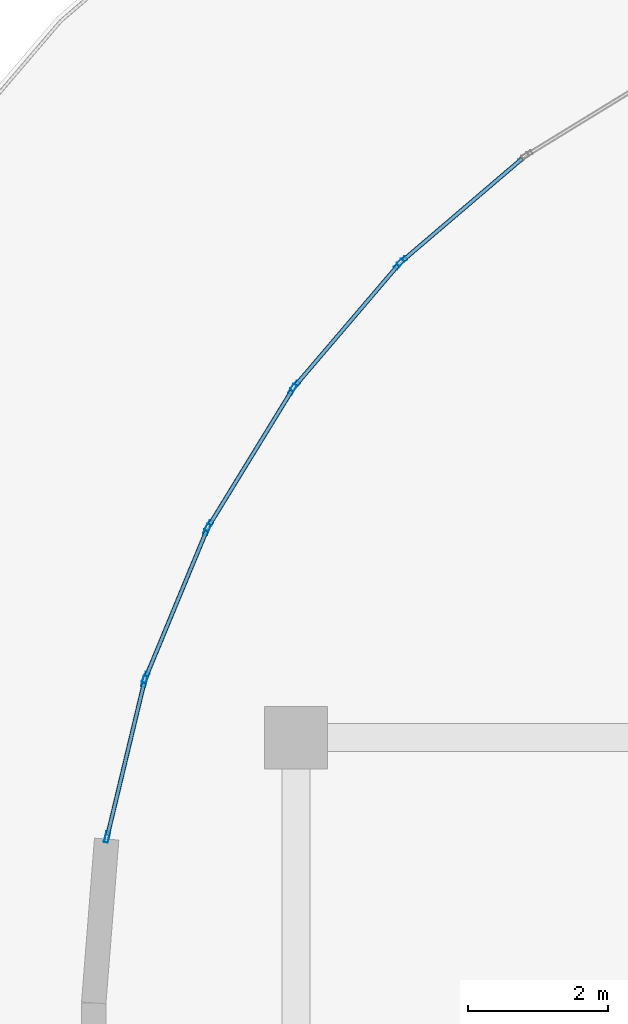
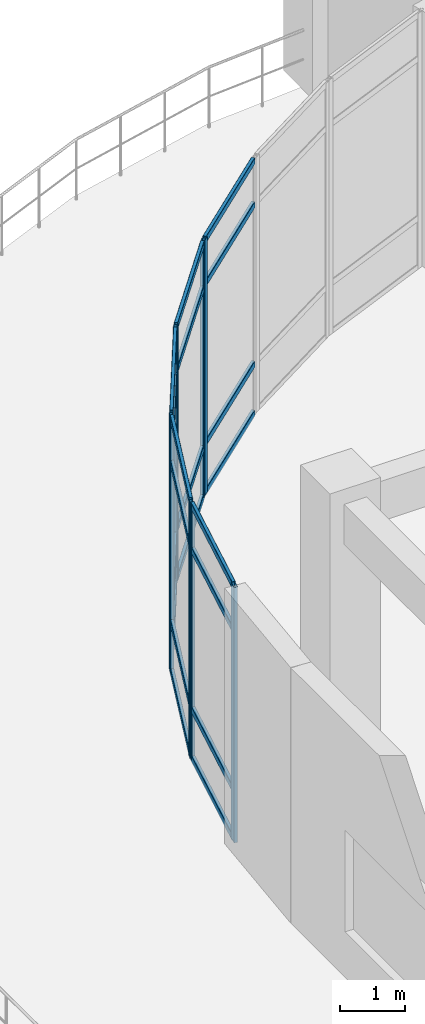
# One storey, part 51 of 120: 29 members, 5 elements without a shape of their own.
"""IFC4 building model written with IfcOpenShell, lengths in metres."""

from ifc_helpers import new_model, si_unit, derived_unit, direction, frame, origin, origin_2d, place, context, subcontext, project, spatial, hollow_rectangle, extrude, material, layer, layer_set, material_profile, profile_set, type_object, element, aggregate, save


model = new_model("IFC4")

# Units and contexts
model_context = context("Model", 3, precision=1e-05, world=origin(), true_north=direction((0.0, 1.0)))
body_context = subcontext(model_context, "Body", "Model", "MODEL_VIEW")
ifc_project = project(units=[si_unit("LENGTHUNIT", "METRE"), si_unit("AREAUNIT", "SQUARE_METRE"), si_unit("VOLUMEUNIT", "CUBIC_METRE"), si_unit("PLANEANGLEUNIT", "RADIAN"), si_unit("MASSUNIT", "GRAM", prefix="KILO"), derived_unit("THERMALTRANSMITTANCEUNIT", [(si_unit("MASSUNIT", "GRAM", prefix="KILO"), 1), (si_unit("TIMEUNIT", "SECOND"), -3), (si_unit("THERMODYNAMICTEMPERATUREUNIT", "KELVIN"), -1)])], contexts=[model_context])

# Site, building, storey
site_placement = place(None, origin())
site = spatial("IfcSite", under=ifc_project, at=site_placement, CompositionType="ELEMENT")
building_placement = place(site_placement, origin())
building = spatial("IfcBuilding", under=site, at=building_placement, Name="Qinzheling Arcade Emporium", CompositionType="ELEMENT")
storey_placement = place(building_placement, frame((0.0, 0.0, 11.39990234375)))
storey = spatial("IfcBuildingStorey", under=building, at=storey_placement, Name="L03", CompositionType="ELEMENT", Elevation=11.39990234375)

# Curtain wall, members
ifc_material_1 = material(Name="Anodised aluminium and solar-control double glazing", Category="aluminium")
ifc_layer = layer(ifc_material_1, 0.159912109375, Name="Anodised aluminium and solar-control double glazing", Category="aluminium")
ifc_layer_set = layer_set([ifc_layer], Name="Anodised aluminium and solar-control double glazing")
curtain_wall_type = type_object("IfcCurtainWallType", Name="Curved Ribbon Sales Curtain Wall", PredefinedType="NOTDEFINED", material=ifc_layer_set)
curtain_wall_1_placement = place(storey_placement, origin())
curtain_wall_1 = element("IfcCurtainWall", 1, at=curtain_wall_1_placement, inside=storey, type_object=curtain_wall_type, Name="Curtain Wall CW-L03-175", PredefinedType="NOTDEFINED")
ifc_material_2 = material(Name="Anodised aluminium 6063-T6", Category="aluminium")
ifc_material_profile_1 = material_profile(ifc_material_2, hollow_rectangle(XDim=0.06005859375, YDim=0.159912109375, WallThickness=0.00390625, InnerFilletRadius=0.00390625, OuterFilletRadius=0.008056640625, at=origin_2d()), Name="RHS 160x60x4", Category="aluminium")
ifc_profile_set_1 = profile_set([ifc_material_profile_1], Name="Anodised aluminium 6063-T6")
member_type_1 = type_object("IfcMemberType", Name="Curtain Wall Mullion RHS160x60", PredefinedType="MULLION", material=ifc_profile_set_1)
member_1_placement = place(storey_placement, frame((58.19189453125, 97.576171875, 0.0), z_axis=(0.0, 0.0, 1.0), x_axis=(-0.972398874145, 0.233324729854, 0.0)))
member_1 = element("IfcMember", 2, at=member_1_placement, type_object=member_type_1, Name="CW02 mullion 1", PredefinedType="MULLION", context=body_context, shape_type="SweptSolid", body=[
    extrude(hollow_rectangle(XDim=0.06005859375, YDim=0.159912109375, WallThickness=0.00390625, InnerFilletRadius=0.00390625, OuterFilletRadius=0.008056640625, at=origin_2d()), origin(), (0.0, 0.0, 1.0), 4.7900390625),
])
member_2_placement = place(storey_placement, frame((58.72705078125, 99.805908203125, 0.0), z_axis=(0.0, 0.0, 1.0), x_axis=(-0.972398874145, 0.233324729854, 0.0)))
member_2 = element("IfcMember", 3, at=member_2_placement, type_object=member_type_1, Name="CW02 mullion 2", PredefinedType="MULLION", context=body_context, shape_type="SweptSolid", body=[
    extrude(hollow_rectangle(XDim=0.06005859375, YDim=0.159912109375, WallThickness=0.00390625, InnerFilletRadius=0.00390625, OuterFilletRadius=0.008056640625, at=origin_2d()), origin(), (0.0, 0.0, 1.0), 4.7900390625),
])

curtain_wall_2_placement = place(storey_placement, origin())
curtain_wall_2 = element("IfcCurtainWall", 4, at=curtain_wall_2_placement, inside=storey, type_object=curtain_wall_type, Name="Curtain Wall CW-L03-176", PredefinedType="NOTDEFINED")
member_3_placement = place(storey_placement, frame((58.745361328125, 99.86279296875, 0.0), z_axis=(0.0, 0.0, 1.0), x_axis=(-0.923866691535, 0.382714431752, 0.0)))
member_3 = element("IfcMember", 5, at=member_3_placement, type_object=member_type_1, Name="CW02 mullion 1", PredefinedType="MULLION", context=body_context, shape_type="SweptSolid", body=[
    extrude(hollow_rectangle(XDim=0.06005859375, YDim=0.159912109375, WallThickness=0.00390625, InnerFilletRadius=0.00390625, OuterFilletRadius=0.008056640625, at=origin_2d()), origin(), (0.0, 0.0, 1.0), 4.7900390625),
])
member_4_placement = place(storey_placement, frame((59.62353515625, 101.982177734375, 0.0), z_axis=(0.0, 0.0, 1.0), x_axis=(-0.923866691535, 0.382714431752, 0.0)))
member_4 = element("IfcMember", 6, at=member_4_placement, type_object=member_type_1, Name="CW02 mullion 2", PredefinedType="MULLION", context=body_context, shape_type="SweptSolid", body=[
    extrude(hollow_rectangle(XDim=0.06005859375, YDim=0.159912109375, WallThickness=0.00390625, InnerFilletRadius=0.00390625, OuterFilletRadius=0.008056640625, at=origin_2d()), origin(), (0.0, 0.0, 1.0), 4.7900390625),
])

curtain_wall_3_placement = place(storey_placement, origin())
curtain_wall_3 = element("IfcCurtainWall", 7, at=curtain_wall_3_placement, inside=storey, type_object=curtain_wall_type, Name="Curtain Wall CW-L03-177", PredefinedType="NOTDEFINED")
member_5_placement = place(storey_placement, frame((59.650634765625, 102.03564453125, 0.0), z_axis=(0.0, 0.0, 1.0), x_axis=(-0.852619568756, 0.522532172191, 0.0)))
member_5 = element("IfcMember", 8, at=member_5_placement, type_object=member_type_1, Name="CW02 mullion 1", PredefinedType="MULLION", context=body_context, shape_type="SweptSolid", body=[
    extrude(hollow_rectangle(XDim=0.06005859375, YDim=0.159912109375, WallThickness=0.00390625, InnerFilletRadius=0.00390625, OuterFilletRadius=0.008056640625, at=origin_2d()), origin(), (0.0, 0.0, 1.0), 4.7900390625),
])
member_6_placement = place(storey_placement, frame((60.849365234375, 103.991455078125, 0.0), z_axis=(0.0, 0.0, 1.0), x_axis=(-0.852619568756, 0.522532172191, 0.0)))
member_6 = element("IfcMember", 9, at=member_6_placement, type_object=member_type_1, Name="CW02 mullion 2", PredefinedType="MULLION", context=body_context, shape_type="SweptSolid", body=[
    extrude(hollow_rectangle(XDim=0.06005859375, YDim=0.159912109375, WallThickness=0.00390625, InnerFilletRadius=0.00390625, OuterFilletRadius=0.008056640625, at=origin_2d()), origin(), (0.0, 0.0, 1.0), 4.7900390625),
])

curtain_wall_4_placement = place(storey_placement, origin())
curtain_wall_4 = element("IfcCurtainWall", 10, at=curtain_wall_4_placement, inside=storey, type_object=curtain_wall_type, Name="Curtain Wall CW-L03-178", PredefinedType="NOTDEFINED")
member_7_placement = place(storey_placement, frame((60.884521484375, 104.039794921875, 0.0), z_axis=(0.0, 0.0, 1.0), x_axis=(-0.760574737185, 0.649250390185, 0.0)))
member_7 = element("IfcMember", 11, at=member_7_placement, type_object=member_type_1, Name="CW02 mullion 1", PredefinedType="MULLION", context=body_context, shape_type="SweptSolid", body=[
    extrude(hollow_rectangle(XDim=0.06005859375, YDim=0.159912109375, WallThickness=0.00390625, InnerFilletRadius=0.00390625, OuterFilletRadius=0.008056640625, at=origin_2d()), origin(), (0.0, 0.0, 1.0), 4.7900390625),
])
member_8_placement = place(storey_placement, frame((62.37353515625, 105.7841796875, 0.0), z_axis=(0.0, 0.0, 1.0), x_axis=(-0.760574737185, 0.649250390185, 0.0)))
member_8 = element("IfcMember", 12, at=member_8_placement, type_object=member_type_1, Name="CW02 mullion 2", PredefinedType="MULLION", context=body_context, shape_type="SweptSolid", body=[
    extrude(hollow_rectangle(XDim=0.06005859375, YDim=0.159912109375, WallThickness=0.00390625, InnerFilletRadius=0.00390625, OuterFilletRadius=0.008056640625, at=origin_2d()), origin(), (0.0, 0.0, 1.0), 4.7900390625),
])

# Curtain wall, member
curtain_wall_5_placement = place(storey_placement, origin())
curtain_wall_5 = element("IfcCurtainWall", 13, at=curtain_wall_5_placement, inside=storey, type_object=curtain_wall_type, Name="Curtain Wall CW-L03-179", PredefinedType="NOTDEFINED")
member_9_placement = place(storey_placement, frame((62.415771484375, 105.826416015625, 0.0), z_axis=(0.0, 0.0, 1.0), x_axis=(-0.649250390185, 0.760574737185, 0.0)))
member_9 = element("IfcMember", 14, at=member_9_placement, type_object=member_type_1, Name="CW02 mullion 1", PredefinedType="MULLION", context=body_context, shape_type="SweptSolid", body=[
    extrude(hollow_rectangle(XDim=0.06005859375, YDim=0.159912109375, WallThickness=0.00390625, InnerFilletRadius=0.00390625, OuterFilletRadius=0.008056640625, at=origin_2d()), origin(), (0.0, 0.0, 1.0), 4.7900390625),
])

# Member
ifc_material_profile_2 = material_profile(ifc_material_2, hollow_rectangle(XDim=0.06005859375, YDim=0.1201171875, WallThickness=0.00390625, InnerFilletRadius=0.00390625, OuterFilletRadius=0.008056640625, at=origin_2d()), Name="RHS 120x60x4", Category="aluminium")
ifc_profile_set_2 = profile_set([ifc_material_profile_2], Name="Anodised aluminium 6063-T6")
member_type_2 = type_object("IfcMemberType", Name="Curtain Wall Transom RHS120x60", PredefinedType="USERDEFINED", material=ifc_profile_set_2)
member_10_placement = place(storey_placement, frame((58.198974609375, 97.605224609375, 0.030029296875), z_axis=(0.233315060543, 0.972401194222, 0.0), x_axis=(-0.972401194222, 0.233315060543, 0.0)))
member_10 = element("IfcMember", 15, at=member_10_placement, type_object=member_type_2, Name="CW02 transom 1.1", ObjectType="TRANSOM", PredefinedType="USERDEFINED", context=body_context, shape_type="SweptSolid", body=[
    extrude(hollow_rectangle(XDim=0.06005859375, YDim=0.1201171875, WallThickness=0.00390625, InnerFilletRadius=0.00390625, OuterFilletRadius=0.008056640625, at=origin_2d()), origin(), (0.0, 0.0, 1.0), 2.23291015625),
])

member_11_placement = place(storey_placement, frame((58.198974609375, 97.605224609375, 0.9501953125), z_axis=(0.233315060543, 0.972401194222, 0.0), x_axis=(-0.972401194222, 0.233315060543, 0.0)))
member_11 = element("IfcMember", 16, at=member_11_placement, type_object=member_type_2, Name="CW02 transom 1.2", ObjectType="TRANSOM", PredefinedType="USERDEFINED", context=body_context, shape_type="SweptSolid", body=[
    extrude(hollow_rectangle(XDim=0.06005859375, YDim=0.1201171875, WallThickness=0.00390625, InnerFilletRadius=0.00390625, OuterFilletRadius=0.008056640625, at=origin_2d()), origin(), (0.0, 0.0, 1.0), 2.23291015625),
])

member_12_placement = place(storey_placement, frame((58.198974609375, 97.605224609375, 3.940185546875), z_axis=(0.233315060543, 0.972401194222, 0.0), x_axis=(-0.972401194222, 0.233315060543, 0.0)))
member_12 = element("IfcMember", 17, at=member_12_placement, type_object=member_type_2, Name="CW02 transom 1.3", ObjectType="TRANSOM", PredefinedType="USERDEFINED", context=body_context, shape_type="SweptSolid", body=[
    extrude(hollow_rectangle(XDim=0.06005859375, YDim=0.1201171875, WallThickness=0.00390625, InnerFilletRadius=0.00390625, OuterFilletRadius=0.008056640625, at=origin_2d()), origin(), (0.0, 0.0, 1.0), 2.23291015625),
])

member_13_placement = place(storey_placement, frame((58.198974609375, 97.605224609375, 4.760009765625), z_axis=(0.233315060543, 0.972401194222, 0.0), x_axis=(-0.972401194222, 0.233315060543, 0.0)))
member_13 = element("IfcMember", 18, at=member_13_placement, type_object=member_type_2, Name="CW02 transom 1.4", ObjectType="TRANSOM", PredefinedType="USERDEFINED", context=body_context, shape_type="SweptSolid", body=[
    extrude(hollow_rectangle(XDim=0.06005859375, YDim=0.1201171875, WallThickness=0.00390625, InnerFilletRadius=0.00390625, OuterFilletRadius=0.008056640625, at=origin_2d()), origin(), (0.0, 0.0, 1.0), 2.23291015625),
])

aggregate(curtain_wall_1, [member_1, member_2, member_10, member_11, member_12, member_13])

member_14_placement = place(storey_placement, frame((58.757080078125, 99.890380859375, 0.030029296875), z_axis=(0.382667047817, 0.923886319043, 0.0), x_axis=(-0.923886319043, 0.382667047817, 0.0)))
member_14 = element("IfcMember", 19, at=member_14_placement, type_object=member_type_2, Name="CW02 transom 1.1", ObjectType="TRANSOM", PredefinedType="USERDEFINED", context=body_context, shape_type="SweptSolid", body=[
    extrude(hollow_rectangle(XDim=0.06005859375, YDim=0.1201171875, WallThickness=0.00390625, InnerFilletRadius=0.00390625, OuterFilletRadius=0.008056640625, at=origin_2d()), origin(), (0.0, 0.0, 1.0), 2.234375),
])

member_15_placement = place(storey_placement, frame((58.757080078125, 99.890380859375, 0.9501953125), z_axis=(0.382667047817, 0.923886319043, 0.0), x_axis=(-0.923886319043, 0.382667047817, 0.0)))
member_15 = element("IfcMember", 20, at=member_15_placement, type_object=member_type_2, Name="CW02 transom 1.2", ObjectType="TRANSOM", PredefinedType="USERDEFINED", context=body_context, shape_type="SweptSolid", body=[
    extrude(hollow_rectangle(XDim=0.06005859375, YDim=0.1201171875, WallThickness=0.00390625, InnerFilletRadius=0.00390625, OuterFilletRadius=0.008056640625, at=origin_2d()), origin(), (0.0, 0.0, 1.0), 2.234375),
])

member_16_placement = place(storey_placement, frame((58.757080078125, 99.890380859375, 3.940185546875), z_axis=(0.382667047817, 0.923886319043, 0.0), x_axis=(-0.923886319043, 0.382667047817, 0.0)))
member_16 = element("IfcMember", 21, at=member_16_placement, type_object=member_type_2, Name="CW02 transom 1.3", ObjectType="TRANSOM", PredefinedType="USERDEFINED", context=body_context, shape_type="SweptSolid", body=[
    extrude(hollow_rectangle(XDim=0.06005859375, YDim=0.1201171875, WallThickness=0.00390625, InnerFilletRadius=0.00390625, OuterFilletRadius=0.008056640625, at=origin_2d()), origin(), (0.0, 0.0, 1.0), 2.234375),
])

member_17_placement = place(storey_placement, frame((58.757080078125, 99.890380859375, 4.760009765625), z_axis=(0.382667047817, 0.923886319043, 0.0), x_axis=(-0.923886319043, 0.382667047817, 0.0)))
member_17 = element("IfcMember", 22, at=member_17_placement, type_object=member_type_2, Name="CW02 transom 1.4", ObjectType="TRANSOM", PredefinedType="USERDEFINED", context=body_context, shape_type="SweptSolid", body=[
    extrude(hollow_rectangle(XDim=0.06005859375, YDim=0.1201171875, WallThickness=0.00390625, InnerFilletRadius=0.00390625, OuterFilletRadius=0.008056640625, at=origin_2d()), origin(), (0.0, 0.0, 1.0), 2.234375),
])

aggregate(curtain_wall_2, [member_3, member_4, member_14, member_15, member_16, member_17])

member_18_placement = place(storey_placement, frame((59.666259765625, 102.06103515625, 0.030029296875), z_axis=(0.522572307967, 0.852594970045, 0.0), x_axis=(-0.852594970045, 0.522572307967, 0.0)))
member_18 = element("IfcMember", 23, at=member_18_placement, type_object=member_type_2, Name="CW02 transom 1.1", ObjectType="TRANSOM", PredefinedType="USERDEFINED", context=body_context, shape_type="SweptSolid", body=[
    extrude(hollow_rectangle(XDim=0.06005859375, YDim=0.1201171875, WallThickness=0.00390625, InnerFilletRadius=0.00390625, OuterFilletRadius=0.008056640625, at=origin_2d()), origin(), (0.0, 0.0, 1.0), 2.234130859375),
])

member_19_placement = place(storey_placement, frame((59.666259765625, 102.06103515625, 0.9501953125), z_axis=(0.522572307967, 0.852594970045, 0.0), x_axis=(-0.852594970045, 0.522572307967, 0.0)))
member_19 = element("IfcMember", 24, at=member_19_placement, type_object=member_type_2, Name="CW02 transom 1.2", ObjectType="TRANSOM", PredefinedType="USERDEFINED", context=body_context, shape_type="SweptSolid", body=[
    extrude(hollow_rectangle(XDim=0.06005859375, YDim=0.1201171875, WallThickness=0.00390625, InnerFilletRadius=0.00390625, OuterFilletRadius=0.008056640625, at=origin_2d()), origin(), (0.0, 0.0, 1.0), 2.234130859375),
])

member_20_placement = place(storey_placement, frame((59.666259765625, 102.06103515625, 3.940185546875), z_axis=(0.522572307967, 0.852594970045, 0.0), x_axis=(-0.852594970045, 0.522572307967, 0.0)))
member_20 = element("IfcMember", 25, at=member_20_placement, type_object=member_type_2, Name="CW02 transom 1.3", ObjectType="TRANSOM", PredefinedType="USERDEFINED", context=body_context, shape_type="SweptSolid", body=[
    extrude(hollow_rectangle(XDim=0.06005859375, YDim=0.1201171875, WallThickness=0.00390625, InnerFilletRadius=0.00390625, OuterFilletRadius=0.008056640625, at=origin_2d()), origin(), (0.0, 0.0, 1.0), 2.234130859375),
])

member_21_placement = place(storey_placement, frame((59.666259765625, 102.06103515625, 4.760009765625), z_axis=(0.522572307967, 0.852594970045, 0.0), x_axis=(-0.852594970045, 0.522572307967, 0.0)))
member_21 = element("IfcMember", 26, at=member_21_placement, type_object=member_type_2, Name="CW02 transom 1.4", ObjectType="TRANSOM", PredefinedType="USERDEFINED", context=body_context, shape_type="SweptSolid", body=[
    extrude(hollow_rectangle(XDim=0.06005859375, YDim=0.1201171875, WallThickness=0.00390625, InnerFilletRadius=0.00390625, OuterFilletRadius=0.008056640625, at=origin_2d()), origin(), (0.0, 0.0, 1.0), 2.234130859375),
])

aggregate(curtain_wall_3, [member_5, member_6, member_18, member_19, member_20, member_21])

member_22_placement = place(storey_placement, frame((60.904052734375, 104.062744140625, 0.030029296875), z_axis=(0.649214567971, 0.76060531469, 0.0), x_axis=(-0.76060531469, 0.649214567971, 0.0)))
member_22 = element("IfcMember", 27, at=member_22_placement, type_object=member_type_2, Name="CW02 transom 1.1", ObjectType="TRANSOM", PredefinedType="USERDEFINED", context=body_context, shape_type="SweptSolid", body=[
    extrude(hollow_rectangle(XDim=0.06005859375, YDim=0.1201171875, WallThickness=0.00390625, InnerFilletRadius=0.00390625, OuterFilletRadius=0.008056640625, at=origin_2d()), origin(), (0.0, 0.0, 1.0), 2.2333984375),
])

member_23_placement = place(storey_placement, frame((60.904052734375, 104.062744140625, 0.9501953125), z_axis=(0.649214567971, 0.76060531469, 0.0), x_axis=(-0.76060531469, 0.649214567971, 0.0)))
member_23 = element("IfcMember", 28, at=member_23_placement, type_object=member_type_2, Name="CW02 transom 1.2", ObjectType="TRANSOM", PredefinedType="USERDEFINED", context=body_context, shape_type="SweptSolid", body=[
    extrude(hollow_rectangle(XDim=0.06005859375, YDim=0.1201171875, WallThickness=0.00390625, InnerFilletRadius=0.00390625, OuterFilletRadius=0.008056640625, at=origin_2d()), origin(), (0.0, 0.0, 1.0), 2.2333984375),
])

member_24_placement = place(storey_placement, frame((60.904052734375, 104.062744140625, 3.940185546875), z_axis=(0.649214567971, 0.76060531469, 0.0), x_axis=(-0.76060531469, 0.649214567971, 0.0)))
member_24 = element("IfcMember", 29, at=member_24_placement, type_object=member_type_2, Name="CW02 transom 1.3", ObjectType="TRANSOM", PredefinedType="USERDEFINED", context=body_context, shape_type="SweptSolid", body=[
    extrude(hollow_rectangle(XDim=0.06005859375, YDim=0.1201171875, WallThickness=0.00390625, InnerFilletRadius=0.00390625, OuterFilletRadius=0.008056640625, at=origin_2d()), origin(), (0.0, 0.0, 1.0), 2.2333984375),
])

member_25_placement = place(storey_placement, frame((60.904052734375, 104.062744140625, 4.760009765625), z_axis=(0.649214567971, 0.76060531469, 0.0), x_axis=(-0.76060531469, 0.649214567971, 0.0)))
member_25 = element("IfcMember", 30, at=member_25_placement, type_object=member_type_2, Name="CW02 transom 1.4", ObjectType="TRANSOM", PredefinedType="USERDEFINED", context=body_context, shape_type="SweptSolid", body=[
    extrude(hollow_rectangle(XDim=0.06005859375, YDim=0.1201171875, WallThickness=0.00390625, InnerFilletRadius=0.00390625, OuterFilletRadius=0.008056640625, at=origin_2d()), origin(), (0.0, 0.0, 1.0), 2.2333984375),
])

aggregate(curtain_wall_4, [member_7, member_8, member_22, member_23, member_24, member_25])

member_26_placement = place(storey_placement, frame((62.438720703125, 105.845947265625, 0.030029296875), z_axis=(0.760551337176, 0.649277801499, 0.0), x_axis=(-0.649277801499, 0.760551337176, 0.0)))
member_26 = element("IfcMember", 31, at=member_26_placement, type_object=member_type_2, Name="CW02 transom 1.1", ObjectType="TRANSOM", PredefinedType="USERDEFINED", context=body_context, shape_type="SweptSolid", body=[
    extrude(hollow_rectangle(XDim=0.06005859375, YDim=0.1201171875, WallThickness=0.00390625, InnerFilletRadius=0.00390625, OuterFilletRadius=0.008056640625, at=origin_2d()), origin(), (0.0, 0.0, 1.0), 2.233642578125),
])

member_27_placement = place(storey_placement, frame((62.438720703125, 105.845947265625, 0.9501953125), z_axis=(0.760551337176, 0.649277801499, 0.0), x_axis=(-0.649277801499, 0.760551337176, 0.0)))
member_27 = element("IfcMember", 32, at=member_27_placement, type_object=member_type_2, Name="CW02 transom 1.2", ObjectType="TRANSOM", PredefinedType="USERDEFINED", context=body_context, shape_type="SweptSolid", body=[
    extrude(hollow_rectangle(XDim=0.06005859375, YDim=0.1201171875, WallThickness=0.00390625, InnerFilletRadius=0.00390625, OuterFilletRadius=0.008056640625, at=origin_2d()), origin(), (0.0, 0.0, 1.0), 2.233642578125),
])

member_28_placement = place(storey_placement, frame((62.438720703125, 105.845947265625, 3.940185546875), z_axis=(0.760551337176, 0.649277801499, 0.0), x_axis=(-0.649277801499, 0.760551337176, 0.0)))
member_28 = element("IfcMember", 33, at=member_28_placement, type_object=member_type_2, Name="CW02 transom 1.3", ObjectType="TRANSOM", PredefinedType="USERDEFINED", context=body_context, shape_type="SweptSolid", body=[
    extrude(hollow_rectangle(XDim=0.06005859375, YDim=0.1201171875, WallThickness=0.00390625, InnerFilletRadius=0.00390625, OuterFilletRadius=0.008056640625, at=origin_2d()), origin(), (0.0, 0.0, 1.0), 2.233642578125),
])

member_29_placement = place(storey_placement, frame((62.438720703125, 105.845947265625, 4.760009765625), z_axis=(0.760551337176, 0.649277801499, 0.0), x_axis=(-0.649277801499, 0.760551337176, 0.0)))
member_29 = element("IfcMember", 34, at=member_29_placement, type_object=member_type_2, Name="CW02 transom 1.4", ObjectType="TRANSOM", PredefinedType="USERDEFINED", context=body_context, shape_type="SweptSolid", body=[
    extrude(hollow_rectangle(XDim=0.06005859375, YDim=0.1201171875, WallThickness=0.00390625, InnerFilletRadius=0.00390625, OuterFilletRadius=0.008056640625, at=origin_2d()), origin(), (0.0, 0.0, 1.0), 2.233642578125),
])

aggregate(curtain_wall_5, [member_9, member_26, member_27, member_28, member_29])

save(model, "model.ifc")
